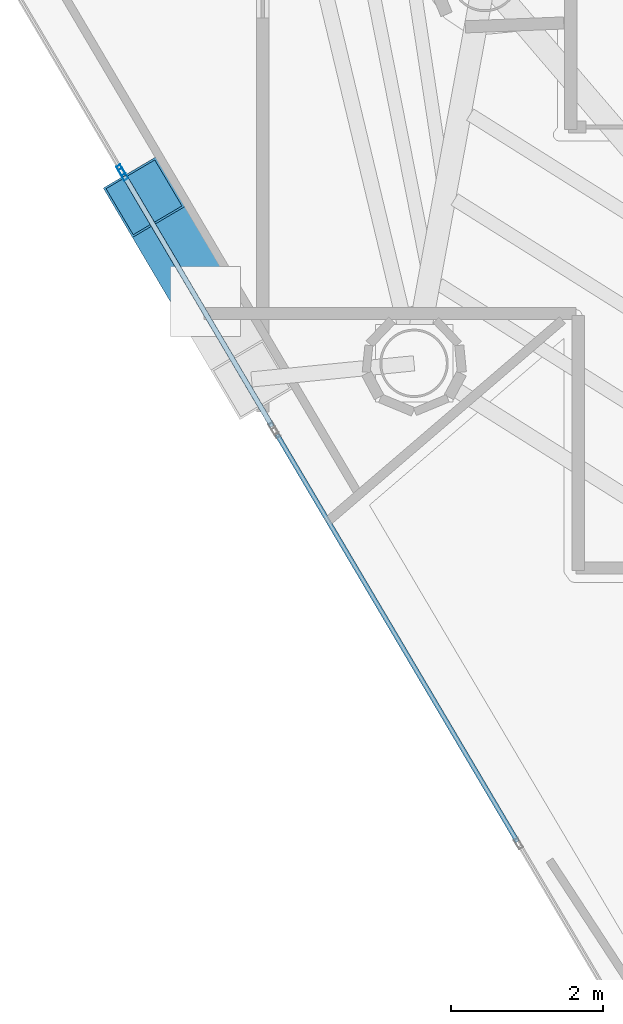
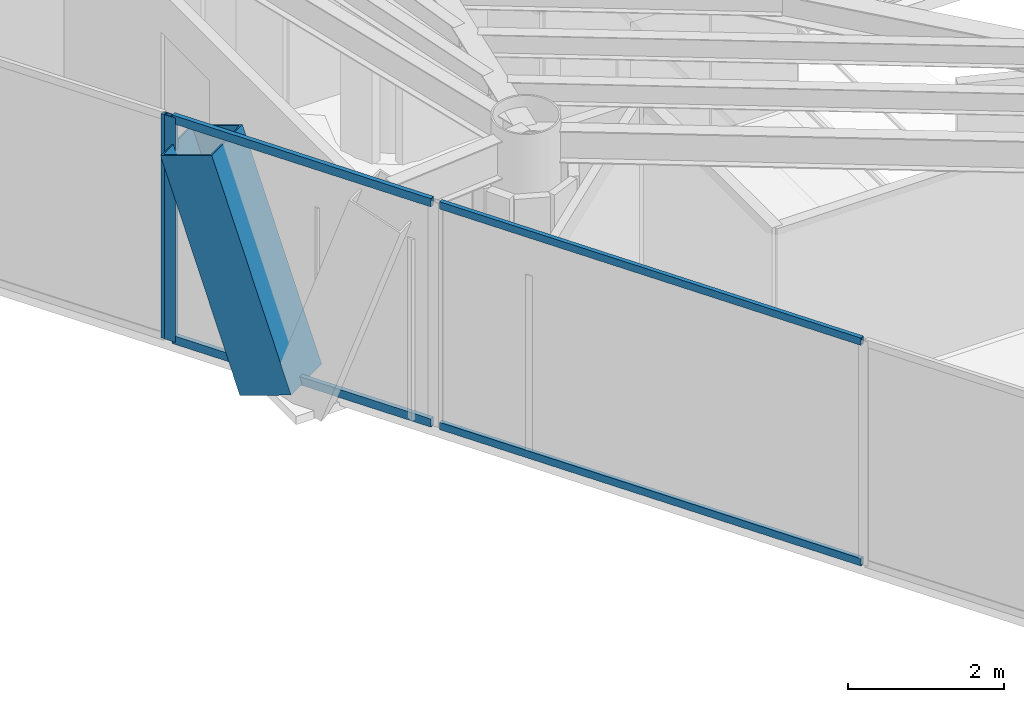
# One storey, part 3 of 19: 7 members, 3 elements without a shape of their own.
"""IFC4 building model written with IfcOpenShell, lengths in metres."""

from ifc_helpers import new_model, si_unit, direction, frame, origin, origin_2d, place, context, subcontext, project, spatial, hollow_rectangle, extrude, material, layer, layer_set, material_profile, profile_set, type_object, element, aggregate, save


model = new_model("IFC4")

# Units and contexts
model_context = context("Model", 3, precision=1e-05, world=origin(), true_north=direction((0.0, 1.0)))
body_context = subcontext(model_context, "Body", "Model", "MODEL_VIEW")
ifc_project = project(units=[si_unit("LENGTHUNIT", "METRE"), si_unit("AREAUNIT", "SQUARE_METRE"), si_unit("VOLUMEUNIT", "CUBIC_METRE"), si_unit("PLANEANGLEUNIT", "RADIAN"), si_unit("MASSUNIT", "GRAM", prefix="KILO")], contexts=[model_context])

# Site, building, storey
site_placement = place(None, origin())
site = spatial("IfcSite", under=ifc_project, at=site_placement, CompositionType="ELEMENT")
building_placement = place(site_placement, origin())
building = spatial("IfcBuilding", under=site, at=building_placement, Name="Qianvela Tower", CompositionType="ELEMENT")
storey_placement = place(building_placement, frame((0.0, 0.0, 280.60009765625)))
storey = spatial("IfcBuildingStorey", under=building, at=storey_placement, Name="L72", CompositionType="ELEMENT", Elevation=280.60009765625)

# Curtain wall, members
ifc_material_1 = material(Name="Anodised Architectural Aluminium and Insulated Spandrel Panel", Category="aluminium")
ifc_layer_1 = layer(ifc_material_1, 0.179931640625)
ifc_layer_set_1 = layer_set([ifc_layer_1], Name="Anodised Architectural Aluminium and Insulated Spandrel Panel")
curtain_wall_type_1 = type_object("IfcCurtainWallType", Name="CW-BRACEBAY", PredefinedType="USERDEFINED", material=ifc_layer_set_1)
curtain_wall_1_placement = place(storey_placement, origin())
curtain_wall_1 = element("IfcCurtainWall", 1, at=curtain_wall_1_placement, inside=storey, type_object=curtain_wall_type_1, Name="L72 CW-BRACEBAY Curtain Wall 04B", ObjectType="CURTAIN_WALL_SYSTEM", PredefinedType="USERDEFINED")
ifc_material_2 = material(Name="Anodised Architectural Aluminium 6063-T6", Category="aluminium")
ifc_material_profile_1 = material_profile(ifc_material_2, hollow_rectangle(XDim=0.06494140625, YDim=0.159912109375, WallThickness=0.0048828125, at=origin_2d()), Name="ALU-MULL-65x160")
ifc_profile_set_1 = profile_set([ifc_material_profile_1], Name="Anodised Architectural Aluminium 6063-T6")
member_type_1 = type_object("IfcMemberType", Name="CW-BRACEBAY-MULL", PredefinedType="MULLION", material=ifc_profile_set_1)
member_1_placement = place(storey_placement, frame((23.844970703125, 21.262451171875, 0.0), z_axis=(0.0, 0.0, 1.0), x_axis=(0.861088269562, 0.5084554966, 0.0)))
member_1 = element("IfcMember", 2, at=member_1_placement, type_object=member_type_1, Name="CW-9 mullion 1", PredefinedType="MULLION", context=body_context, shape_type="SweptSolid", body=[
    extrude(hollow_rectangle(XDim=0.06494140625, YDim=0.159912109375, WallThickness=0.0048828125, at=origin_2d()), origin(), (0.0, 0.0, 1.0), 3.52001953125),
])
ifc_material_3 = material(Name="Anodised Architectural Aluminium 6063-T6", Category="aluminium")
ifc_material_profile_2 = material_profile(ifc_material_3, hollow_rectangle(XDim=0.06494140625, YDim=0.1298828125, WallThickness=0.00439453125, at=origin_2d()), Name="ALU-TRAN-65x130")
ifc_profile_set_2 = profile_set([ifc_material_profile_2], Name="Anodised Architectural Aluminium 6063-T6")
member_type_2 = type_object("IfcMemberType", Name="CW-BRACEBAY-TRAN", PredefinedType="USERDEFINED", material=ifc_profile_set_2)
member_2_placement = place(storey_placement, frame((23.861572265625, 21.234375, 0.032470703125), z_axis=(0.508477364798, -0.861075356451, 0.0), x_axis=(0.861075356451, 0.508477364798, 0.0)))
member_2 = element("IfcMember", 3, at=member_2_placement, type_object=member_type_2, Name="CW-9 transom 1.1", ObjectType="TRANSOM", PredefinedType="USERDEFINED", context=body_context, shape_type="SweptSolid", body=[
    extrude(hollow_rectangle(XDim=0.06494140625, YDim=0.1298828125, WallThickness=0.00439453125, at=origin_2d()), origin(), (0.0, 0.0, 1.0), 3.820068359375),
])
member_3_placement = place(storey_placement, frame((23.861572265625, 21.234375, 3.4873046875), z_axis=(0.508477364798, -0.861075356451, 0.0), x_axis=(0.861075356451, 0.508477364798, 0.0)))
member_3 = element("IfcMember", 4, at=member_3_placement, type_object=member_type_2, Name="CW-9 transom 1.2", ObjectType="TRANSOM", PredefinedType="USERDEFINED", context=body_context, shape_type="SweptSolid", body=[
    extrude(hollow_rectangle(XDim=0.06494140625, YDim=0.1298828125, WallThickness=0.00439453125, at=origin_2d()), origin(), (0.0, 0.0, 1.0), 3.820068359375),
])
aggregate(curtain_wall_1, [member_1, member_2, member_3])

# Curtain wall, member
ifc_material_4 = material(Name="Anodised Architectural Aluminium and Low-E Glass", Category="aluminium")
ifc_layer_2 = layer(ifc_material_4, 0.14990234375)
ifc_layer_set_2 = layer_set([ifc_layer_2], Name="Anodised Architectural Aluminium and Low-E Glass")
curtain_wall_type_2 = type_object("IfcCurtainWallType", Name="CW-COLIV-Z78", PredefinedType="USERDEFINED", material=ifc_layer_set_2)
curtain_wall_2_placement = place(storey_placement, origin())
curtain_wall_2 = element("IfcCurtainWall", 5, at=curtain_wall_2_placement, inside=storey, type_object=curtain_wall_type_2, Name="L72 CW-COLIV-Z78 Curtain Wall 04A", ObjectType="CURTAIN_WALL_SYSTEM", PredefinedType="USERDEFINED")
ifc_material_5 = material(Name="Anodised Architectural Aluminium 6063-T6", Category="aluminium")
ifc_material_profile_3 = material_profile(ifc_material_5, hollow_rectangle(XDim=0.06005859375, YDim=0.139892578125, WallThickness=0.00439453125, at=origin_2d()), Name="ALU-MULL-60x140")
ifc_profile_set_3 = profile_set([ifc_material_profile_3], Name="Anodised Architectural Aluminium 6063-T6")
member_type_3 = type_object("IfcMemberType", Name="CW-COLIV-Z78-MULL", PredefinedType="MULLION", material=ifc_profile_set_3)
member_4_placement = place(storey_placement, frame((23.813232421875, 21.316162109375, 0.0), z_axis=(0.0, 0.0, 1.0), x_axis=(0.861096013624, 0.508442381516, 0.0)))
member_4 = element("IfcMember", 6, at=member_4_placement, type_object=member_type_3, Name="CW-6 mullion 2", PredefinedType="MULLION", context=body_context, shape_type="SweptSolid", body=[
    extrude(hollow_rectangle(XDim=0.06005859375, YDim=0.139892578125, WallThickness=0.00439453125, at=origin_2d()), origin(), (0.0, 0.0, 1.0), 3.52001953125),
])
aggregate(curtain_wall_2, [member_4])

# Curtain wall, members
curtain_wall_3_placement = place(storey_placement, origin())
curtain_wall_3 = element("IfcCurtainWall", 7, at=curtain_wall_3_placement, inside=storey, type_object=curtain_wall_type_2, Name="L72 CW-COLIV-Z78 Curtain Wall 04C", ObjectType="CURTAIN_WALL_SYSTEM", PredefinedType="USERDEFINED")
ifc_material_6 = material(Name="Anodised Architectural Aluminium 6063-T6", Category="aluminium")
ifc_material_profile_4 = material_profile(ifc_material_6, hollow_rectangle(XDim=0.06005859375, YDim=0.114990234375, WallThickness=0.00390625, at=origin_2d()), Name="ALU-TRAN-60x115")
ifc_profile_set_4 = profile_set([ifc_material_profile_4], Name="Anodised Architectural Aluminium 6063-T6")
member_type_4 = type_object("IfcMemberType", Name="CW-COLIV-Z78-TRAN", PredefinedType="USERDEFINED", material=ifc_profile_set_4)
member_5_placement = place(storey_placement, frame((25.867431640625, 17.83740234375, 0.02978515625), z_axis=(0.508434424984, -0.861100711584, 0.0), x_axis=(0.861100711584, 0.508434424984, 0.0)))
member_5 = element("IfcMember", 8, at=member_5_placement, type_object=member_type_4, Name="CW-6 transom 1.1", ObjectType="TRANSOM", PredefinedType="USERDEFINED", context=body_context, shape_type="SweptSolid", body=[
    extrude(hollow_rectangle(XDim=0.06005859375, YDim=0.114990234375, WallThickness=0.00390625, at=origin_2d()), origin(), (0.0, 0.0, 1.0), 6.220703125),
])
member_6_placement = place(storey_placement, frame((25.867431640625, 17.83740234375, 3.489990234375), z_axis=(0.508434424984, -0.861100711584, 0.0), x_axis=(0.861100711584, 0.508434424984, 0.0)))
member_6 = element("IfcMember", 9, at=member_6_placement, type_object=member_type_4, Name="CW-6 transom 1.2", ObjectType="TRANSOM", PredefinedType="USERDEFINED", context=body_context, shape_type="SweptSolid", body=[
    extrude(hollow_rectangle(XDim=0.06005859375, YDim=0.114990234375, WallThickness=0.00390625, at=origin_2d()), origin(), (0.0, 0.0, 1.0), 6.220703125),
])
aggregate(curtain_wall_3, [member_5, member_6])

# Member
ifc_material_7 = material(Name="Steel Q420GJC", Category="steel")
ifc_material_profile_5 = material_profile(ifc_material_7, hollow_rectangle(XDim=0.800048828125, YDim=0.800048828125, WallThickness=0.028076171875, at=origin_2d()), Name="MBOX-800x800x28")
ifc_profile_set_5 = profile_set([ifc_material_profile_5], Name="Steel Q420GJC")
member_type_5 = type_object("IfcMemberType", Name="MBR-MBRACE-800", PredefinedType="BRACE", material=ifc_profile_set_5)
member_7_placement = place(storey_placement, frame((24.71337890625, 19.94921875, -0.14013671875), z_axis=(-0.167430021489, 0.283512090509, 0.944239420083), x_axis=(-0.861059318778, -0.508504522639, 0.0)))
element("IfcMember", 10, at=member_7_placement, inside=storey, type_object=member_type_5, Name="L72 Tier 12 Exterior Mega-Brace F2A", PredefinedType="BRACE", context=body_context, shape_type="SweptSolid", body=[
    extrude(hollow_rectangle(XDim=0.800048828125, YDim=0.800048828125, WallThickness=0.028076171875, at=origin_2d()), origin(), (0.0, 0.0, 1.0), 3.556396484375),
])

save(model, "model.ifc")
